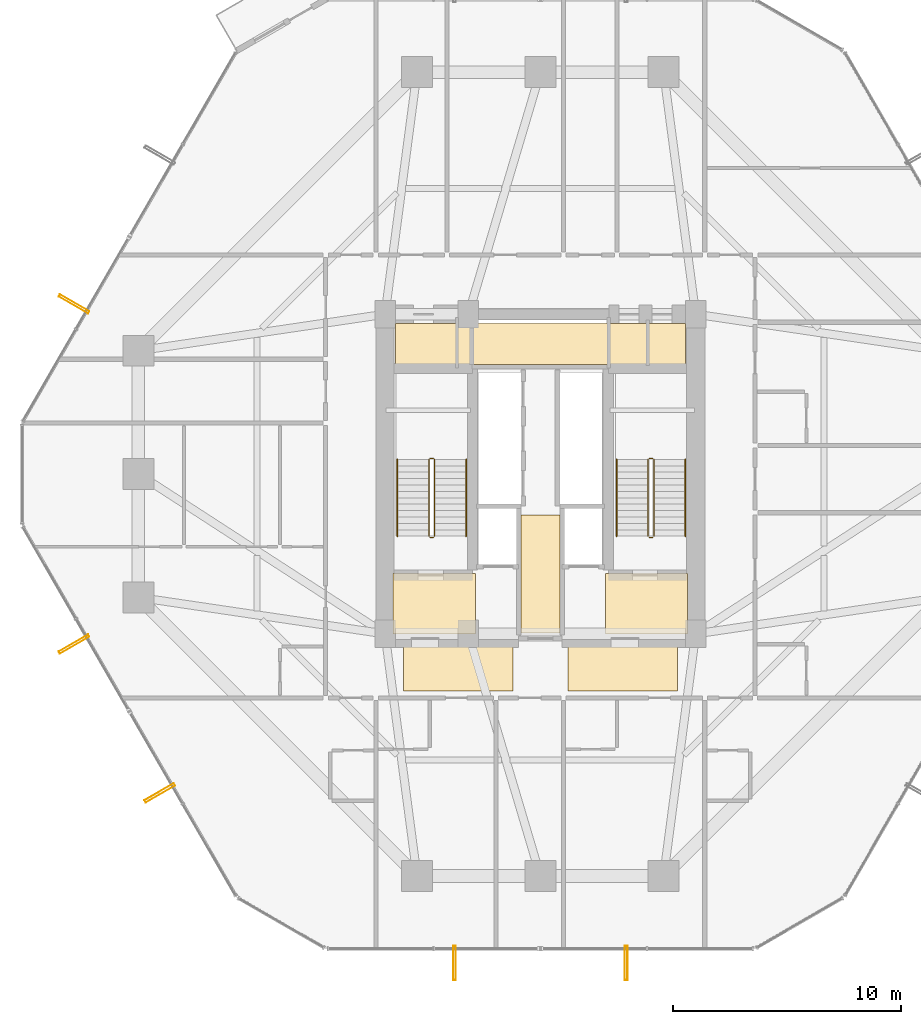
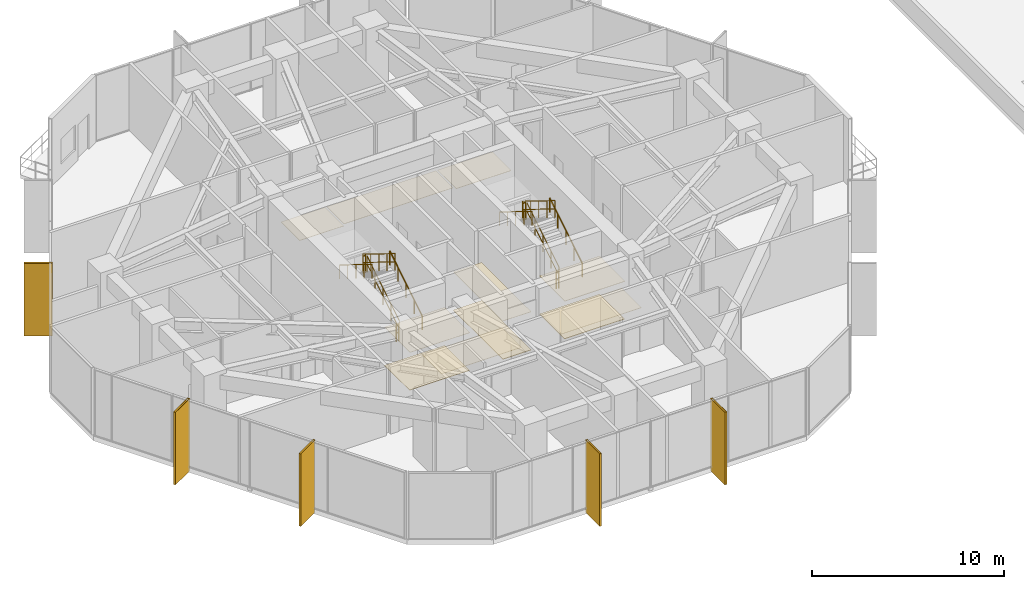
# One storey, part 38 of 39: 12 railings, 11 coverings, 5 shading devices.
"""IFC4 building model written with IfcOpenShell, lengths in metres."""

from ifc_helpers import new_model, si_unit, direction, frame, origin, origin_2d, place, context, subcontext, project, spatial, polyline, hollow_rectangle, circle, outline, extrude, material, layer, layer_set, material_profile, profile_set, type_object, element, save


model = new_model("IFC4")

# Units and contexts
model_context = context("Model", 3, precision=1e-05, world=origin(), true_north=direction((0.0, 1.0)))
body_context = subcontext(model_context, "Body", "Model", "MODEL_VIEW")
ifc_project = project(units=[si_unit("LENGTHUNIT", "METRE"), si_unit("AREAUNIT", "SQUARE_METRE"), si_unit("VOLUMEUNIT", "CUBIC_METRE"), si_unit("PLANEANGLEUNIT", "RADIAN"), si_unit("MASSUNIT", "GRAM", prefix="KILO")], contexts=[model_context])

# Site, building, storey
site_placement = place(None, origin())
site = spatial("IfcSite", under=ifc_project, at=site_placement, CompositionType="ELEMENT")
building_placement = place(site_placement, origin())
building = spatial("IfcBuilding", under=site, at=building_placement, Name="Veraguas Prism Commons", CompositionType="ELEMENT")
storey_placement = place(building_placement, frame((0.0, 0.0, 22.800048828125)))
storey = spatial("IfcBuildingStorey", under=building, at=storey_placement, Name="L05", CompositionType="ELEMENT", Elevation=22.800048828125)

# Shading devices
ifc_material_1 = material(Name="Anodised aluminium EN AW-6063 T6", Category="aluminium")
ifc_material_profile = material_profile(ifc_material_1, hollow_rectangle(XDim=0.1201171875, YDim=1.489990234375, WallThickness=0.006103515625, at=origin_2d()), Name="FIN120X1490X6")
ifc_profile_set = profile_set([ifc_material_profile], Name="Anodised aluminium EN AW-6063 T6")
shading_device_type = type_object("IfcShadingDeviceType", Name="Deep Pale-Metal Vertical Solar Fin 120x1490", PredefinedType="USERDEFINED", material=ifc_profile_set)
for number, where, z_axis, x_axis, name in (
    (1, (3.578369140625, 31.447998046875, -0.330078125), (0.0, 0.0, 1.0), (-0.500003022996, -0.86602365845, 0.0), "Vertical Pale-Metal Solar Fin L05-F3B"),
    (2, (3.578369140625, 16.552001953125, -0.330078125), (0.0, 0.0, 1.0), (0.500003022996, -0.86602365845, 0.0), "Vertical Pale-Metal Solar Fin L05-F4A"),
    (3, (7.339111328125, 10.038330078125, -0.330078125), (0.0, 0.0, 1.0), (0.500003022996, -0.86602365845, 0.0), "Vertical Pale-Metal Solar Fin L05-F4B"),
    (4, (20.2392578125, 2.59033203125, -0.330078125), (0.0, 0.0, 1.0), (1.0, 0.0, 0.0), "Vertical Pale-Metal Solar Fin L05-F5A"),
    (5, (27.7607421875, 2.59033203125, -0.330078125), (0.0, 0.0, 1.0), (1.0, 0.0, 0.0), "Vertical Pale-Metal Solar Fin L05-F5B"),
):
    element("IfcShadingDevice", number, at=place(storey_placement, frame(where, z_axis=z_axis, x_axis=x_axis)), inside=storey, type_object=shading_device_type, Name=name, ObjectType="FIN", PredefinedType="USERDEFINED", context=body_context, shape_type="SweptSolid", body=[
        extrude(hollow_rectangle(XDim=0.1201171875, YDim=1.489990234375, WallThickness=0.006103515625, at=origin_2d()), origin(), (0.0, 0.0, 1.0), 4.60009765625),
    ])

# Coverings
ifc_material_2 = material(Name="Acoustic gypsum board")
ifc_layer_1 = layer(ifc_material_2, 0.02490234375, Name="Perforated Acoustic Ceiling Tile 25")
ifc_layer_set_1 = layer_set([ifc_layer_1], Name="Acoustic gypsum board")
covering_type_1 = type_object("IfcCoveringType", Name="Perforated Acoustic Ceiling Tile 25", PredefinedType="USERDEFINED", material=ifc_layer_set_1)
covering_1_placement = place(storey_placement, frame((0.0, 0.0, 2.425048828125)))
element("IfcCovering", 6, at=covering_1_placement, inside=storey, type_object=covering_type_1, Name="East Lobby Acoustic Ceiling L05", ObjectType="ACOUSTIC CEILING", PredefinedType="USERDEFINED", context=body_context, shape_type="SweptSolid", body=[
    extrude(outline(polyline([(26.85009765625, 17.0), (30.449951171875, 17.0), (30.449951171875, 19.64990234375), (26.85009765625, 19.64990234375), (26.85009765625, 17.0)])), origin(), (0.0, 0.0, 1.0), 0.02490234375),
])
ifc_material_3 = material(Name="Terrazzo stone finish", Category="masonry")
ifc_layer_2 = layer(ifc_material_3, 0.030029296875, Name="Polished Terrazzo Floor Finish 30", Category="masonry")
ifc_layer_set_2 = layer_set([ifc_layer_2], Name="Terrazzo stone finish")
covering_type_2 = type_object("IfcCoveringType", Name="Polished Terrazzo Floor Finish 30", PredefinedType="FLOORING", material=ifc_layer_set_2)
covering_2_placement = place(storey_placement, origin())
element("IfcCovering", 7, at=covering_2_placement, inside=storey, type_object=covering_type_2, Name="Terrazzo Lobby Flooring L05", PredefinedType="FLOORING", context=body_context, shape_type="SweptSolid", body=[
    extrude(outline(polyline([(23.14990234375, 17.050048828125), (24.85009765625, 17.050048828125), (24.85009765625, 22.199951171875), (23.14990234375, 22.199951171875), (23.14990234375, 17.050048828125)])), origin(), (0.0, 0.0, 1.0), 0.030029296875),
])
covering_3_placement = place(storey_placement, origin())
element("IfcCovering", 8, at=covering_3_placement, inside=storey, type_object=covering_type_2, Name="West FF Lobby Terrazzo Flooring L05", PredefinedType="FLOORING", context=body_context, shape_type="SweptSolid", body=[
    extrude(outline(polyline([(17.550048828125, 17.050048828125), (21.14990234375, 17.050048828125), (21.14990234375, 19.64990234375), (17.550048828125, 19.64990234375), (17.550048828125, 17.050048828125)])), origin(), (0.0, 0.0, 1.0), 0.030029296875),
])
covering_4_placement = place(storey_placement, origin())
element("IfcCovering", 9, at=covering_4_placement, inside=storey, type_object=covering_type_2, Name="East FF Lobby Terrazzo Flooring L05", PredefinedType="FLOORING", context=body_context, shape_type="SweptSolid", body=[
    extrude(outline(polyline([(26.85009765625, 17.050048828125), (30.449951171875, 17.050048828125), (30.449951171875, 19.64990234375), (26.85009765625, 19.64990234375), (26.85009765625, 17.050048828125)])), origin(), (0.0, 0.0, 1.0), 0.030029296875),
])

# Railings
ifc_material_4 = material(Name="Stainless steel AISI 316", Category="steel")
railing_type_1 = type_object("IfcRailingType", Name="Stair and Ramp Stainless Handrail 900", PredefinedType="HANDRAIL", material=ifc_material_4)
railing_1_placement = place(storey_placement, frame((20.75, 21.280029296875, 0.173095703125)))
element("IfcRailing", 10, at=railing_1_placement, inside=storey, type_object=railing_type_1, Name="Stair Handrail ST-01 L05-1", PredefinedType="HANDRAIL", context=body_context, shape_type="SweptSolid", body=[
    extrude(circle(Radius=0.02392578125, at=origin_2d()), frame((0.0, 0.0, 0.8759765625), z_axis=(0.0, 0.850606129759, 0.525803396734), x_axis=(-1.0, 0.0, 0.0)), (0.0, 0.0, 1.0), 3.949951171875),
    extrude(circle(Radius=0.02099609375, at=origin_2d()), origin(), (0.0, 0.0, 1.0), 0.851806640625),
    extrude(circle(Radius=0.02099609375, at=origin_2d()), frame((0.0, 0.83984375, 0.519287109375)), (0.0, 0.0, 1.0), 0.851806640625),
    extrude(circle(Radius=0.02099609375, at=origin_2d()), frame((0.0, 1.679931640625, 1.03857421875)), (0.0, 0.0, 1.0), 0.851806640625),
    extrude(circle(Radius=0.02099609375, at=origin_2d()), frame((0.0, 2.52001953125, 1.5576171875)), (0.0, 0.0, 1.0), 0.851806640625),
    extrude(circle(Radius=0.02099609375, at=origin_2d()), frame((0.0, 3.35986328125, 2.076904296875)), (0.0, 0.0, 1.0), 0.851806640625),
])
railing_2_placement = place(storey_placement, frame((17.739990234375, 24.639892578125, 2.423095703125)))
element("IfcRailing", 11, at=railing_2_placement, inside=storey, type_object=railing_type_1, Name="Stair Handrail ST-01 L05-2", PredefinedType="HANDRAIL", context=body_context, shape_type="SweptSolid", body=[
    extrude(circle(Radius=0.02392578125, at=origin_2d()), frame((0.0, 0.0, 0.8759765625), z_axis=(0.0, -0.850606129759, 0.525803396734), x_axis=(1.0, 0.0, 0.0)), (0.0, 0.0, 1.0), 3.949951171875),
    extrude(circle(Radius=0.02099609375, at=origin_2d()), origin(), (0.0, 0.0, 1.0), 0.851806640625),
    extrude(circle(Radius=0.02099609375, at=origin_2d()), frame((0.0, -0.83984375, 0.519287109375)), (0.0, 0.0, 1.0), 0.851806640625),
    extrude(circle(Radius=0.02099609375, at=origin_2d()), frame((0.0, -1.679931640625, 1.03857421875)), (0.0, 0.0, 1.0), 0.851806640625),
    extrude(circle(Radius=0.02099609375, at=origin_2d()), frame((0.0, -2.52001953125, 1.5576171875)), (0.0, 0.0, 1.0), 0.851806640625),
    extrude(circle(Radius=0.02099609375, at=origin_2d()), frame((0.0, -3.35986328125, 2.076904296875)), (0.0, 0.0, 1.0), 0.851806640625),
])
railing_3_placement = place(storey_placement, frame((30.35009765625, 21.280029296875, 0.173095703125)))
element("IfcRailing", 12, at=railing_3_placement, inside=storey, type_object=railing_type_1, Name="Stair Handrail ST-02 L05-1", PredefinedType="HANDRAIL", context=body_context, shape_type="SweptSolid", body=[
    extrude(circle(Radius=0.02392578125, at=origin_2d()), frame((0.0, 0.0, 0.8759765625), z_axis=(0.0, 0.850606129759, 0.525803396734), x_axis=(-1.0, 0.0, 0.0)), (0.0, 0.0, 1.0), 3.949951171875),
    extrude(circle(Radius=0.02099609375, at=origin_2d()), origin(), (0.0, 0.0, 1.0), 0.851806640625),
    extrude(circle(Radius=0.02099609375, at=origin_2d()), frame((0.0, 0.83984375, 0.519287109375)), (0.0, 0.0, 1.0), 0.851806640625),
    extrude(circle(Radius=0.02099609375, at=origin_2d()), frame((0.0, 1.679931640625, 1.03857421875)), (0.0, 0.0, 1.0), 0.851806640625),
    extrude(circle(Radius=0.02099609375, at=origin_2d()), frame((0.0, 2.52001953125, 1.5576171875)), (0.0, 0.0, 1.0), 0.851806640625),
    extrude(circle(Radius=0.02099609375, at=origin_2d()), frame((0.0, 3.35986328125, 2.076904296875)), (0.0, 0.0, 1.0), 0.851806640625),
])
railing_4_placement = place(storey_placement, frame((27.340087890625, 24.639892578125, 2.423095703125)))
element("IfcRailing", 13, at=railing_4_placement, inside=storey, type_object=railing_type_1, Name="Stair Handrail ST-02 L05-2", PredefinedType="HANDRAIL", context=body_context, shape_type="SweptSolid", body=[
    extrude(circle(Radius=0.02392578125, at=origin_2d()), frame((0.0, 0.0, 0.8759765625), z_axis=(0.0, -0.850606129759, 0.525803396734), x_axis=(1.0, 0.0, 0.0)), (0.0, 0.0, 1.0), 3.949951171875),
    extrude(circle(Radius=0.02099609375, at=origin_2d()), origin(), (0.0, 0.0, 1.0), 0.851806640625),
    extrude(circle(Radius=0.02099609375, at=origin_2d()), frame((0.0, -0.83984375, 0.519287109375)), (0.0, 0.0, 1.0), 0.851806640625),
    extrude(circle(Radius=0.02099609375, at=origin_2d()), frame((0.0, -1.679931640625, 1.03857421875)), (0.0, 0.0, 1.0), 0.851806640625),
    extrude(circle(Radius=0.02099609375, at=origin_2d()), frame((0.0, -2.52001953125, 1.5576171875)), (0.0, 0.0, 1.0), 0.851806640625),
    extrude(circle(Radius=0.02099609375, at=origin_2d()), frame((0.0, -3.35986328125, 2.076904296875)), (0.0, 0.0, 1.0), 0.851806640625),
])
railing_type_2 = type_object("IfcRailingType", Name="Stairwell Safety Guardrail 1100", PredefinedType="GUARDRAIL", material=ifc_material_4)
railing_5_placement = place(storey_placement, frame((19.3701171875, 21.280029296875, 0.173095703125)))
element("IfcRailing", 14, at=railing_5_placement, inside=storey, type_object=railing_type_2, Name="Stair Guard ST-01 L05-1", PredefinedType="GUARDRAIL", context=body_context, shape_type="SweptSolid", body=[
    extrude(circle(Radius=0.02392578125, at=origin_2d()), frame((0.0, 0.0, 1.076171875), z_axis=(0.0, 0.850606129759, 0.525803396734), x_axis=(-1.0, 0.0, 0.0)), (0.0, 0.0, 1.0), 3.949951171875),
    extrude(circle(Radius=0.02392578125, at=origin_2d()), frame((0.0, 0.0, 0.550048828125), z_axis=(0.0, 0.850606129759, 0.525803396734), x_axis=(-1.0, 0.0, 0.0)), (0.0, 0.0, 1.0), 3.949951171875),
    extrude(circle(Radius=0.02099609375, at=origin_2d()), origin(), (0.0, 0.0, 1.0), 1.052001953125),
    extrude(circle(Radius=0.02099609375, at=origin_2d()), frame((0.0, 0.83984375, 0.519287109375)), (0.0, 0.0, 1.0), 1.052001953125),
    extrude(circle(Radius=0.02099609375, at=origin_2d()), frame((0.0, 1.679931640625, 1.03857421875)), (0.0, 0.0, 1.0), 1.052001953125),
    extrude(circle(Radius=0.02099609375, at=origin_2d()), frame((0.0, 2.52001953125, 1.5576171875)), (0.0, 0.0, 1.0), 1.052001953125),
    extrude(circle(Radius=0.02099609375, at=origin_2d()), frame((0.0, 3.35986328125, 2.076904296875)), (0.0, 0.0, 1.0), 1.052001953125),
])
railing_6_placement = place(storey_placement, frame((19.320068359375, 24.68994140625, 2.25)))
element("IfcRailing", 15, at=railing_6_placement, inside=storey, type_object=railing_type_2, Name="Stair Guard ST-01 L05-2", PredefinedType="GUARDRAIL", context=body_context, shape_type="SweptSolid", body=[
    extrude(circle(Radius=0.02392578125, at=origin_2d()), frame((0.0, 0.0, 1.076171875), z_axis=(-1.0, 0.0, 0.0), x_axis=(0.0, -1.0, 0.0)), (0.0, 0.0, 1.0), 0.150146484375),
    extrude(circle(Radius=0.02392578125, at=origin_2d()), frame((0.0, 0.0, 0.550048828125), z_axis=(-1.0, 0.0, 0.0), x_axis=(0.0, -1.0, 0.0)), (0.0, 0.0, 1.0), 0.150146484375),
    extrude(circle(Radius=0.02099609375, at=origin_2d()), origin(), (0.0, 0.0, 1.0), 1.052001953125),
    extrude(circle(Radius=0.02099609375, at=origin_2d()), frame((-0.150146484375, 0.0, 0.0)), (0.0, 0.0, 1.0), 1.052001953125),
])
railing_7_placement = place(storey_placement, frame((19.1201171875, 24.639892578125, 2.423095703125)))
element("IfcRailing", 16, at=railing_7_placement, inside=storey, type_object=railing_type_2, Name="Stair Guard ST-01 L05-3", PredefinedType="GUARDRAIL", context=body_context, shape_type="SweptSolid", body=[
    extrude(circle(Radius=0.02392578125, at=origin_2d()), frame((0.0, 0.0, 1.076171875), z_axis=(0.0, -0.850606129759, 0.525803396734), x_axis=(1.0, 0.0, 0.0)), (0.0, 0.0, 1.0), 3.949951171875),
    extrude(circle(Radius=0.02392578125, at=origin_2d()), frame((0.0, 0.0, 0.550048828125), z_axis=(0.0, -0.850606129759, 0.525803396734), x_axis=(1.0, 0.0, 0.0)), (0.0, 0.0, 1.0), 3.949951171875),
    extrude(circle(Radius=0.02099609375, at=origin_2d()), origin(), (0.0, 0.0, 1.0), 1.052001953125),
    extrude(circle(Radius=0.02099609375, at=origin_2d()), frame((0.0, -0.83984375, 0.519287109375)), (0.0, 0.0, 1.0), 1.052001953125),
    extrude(circle(Radius=0.02099609375, at=origin_2d()), frame((0.0, -1.679931640625, 1.03857421875)), (0.0, 0.0, 1.0), 1.052001953125),
    extrude(circle(Radius=0.02099609375, at=origin_2d()), frame((0.0, -2.52001953125, 1.5576171875)), (0.0, 0.0, 1.0), 1.052001953125),
    extrude(circle(Radius=0.02099609375, at=origin_2d()), frame((0.0, -3.35986328125, 2.076904296875)), (0.0, 0.0, 1.0), 1.052001953125),
])
railing_8_placement = place(storey_placement, frame((19.320068359375, 21.22998046875, 0.0)))
element("IfcRailing", 17, at=railing_8_placement, inside=storey, type_object=railing_type_2, Name="Stair Guard ST-01 L05-4", PredefinedType="GUARDRAIL", context=body_context, shape_type="SweptSolid", body=[
    extrude(circle(Radius=0.02392578125, at=origin_2d()), frame((0.0, 0.0, 1.076171875), z_axis=(-1.0, 0.0, 0.0), x_axis=(0.0, -1.0, 0.0)), (0.0, 0.0, 1.0), 0.150146484375),
    extrude(circle(Radius=0.02392578125, at=origin_2d()), frame((0.0, 0.0, 0.550048828125), z_axis=(-1.0, 0.0, 0.0), x_axis=(0.0, -1.0, 0.0)), (0.0, 0.0, 1.0), 0.150146484375),
    extrude(circle(Radius=0.02099609375, at=origin_2d()), origin(), (0.0, 0.0, 1.0), 1.052001953125),
    extrude(circle(Radius=0.02099609375, at=origin_2d()), frame((-0.150146484375, 0.0, 0.0)), (0.0, 0.0, 1.0), 1.052001953125),
])
railing_9_placement = place(storey_placement, frame((28.969970703125, 21.280029296875, 0.173095703125)))
element("IfcRailing", 18, at=railing_9_placement, inside=storey, type_object=railing_type_2, Name="Stair Guard ST-02 L05-1", PredefinedType="GUARDRAIL", context=body_context, shape_type="SweptSolid", body=[
    extrude(circle(Radius=0.02392578125, at=origin_2d()), frame((0.0, 0.0, 1.076171875), z_axis=(0.0, 0.850606129759, 0.525803396734), x_axis=(-1.0, 0.0, 0.0)), (0.0, 0.0, 1.0), 3.949951171875),
    extrude(circle(Radius=0.02392578125, at=origin_2d()), frame((0.0, 0.0, 0.550048828125), z_axis=(0.0, 0.850606129759, 0.525803396734), x_axis=(-1.0, 0.0, 0.0)), (0.0, 0.0, 1.0), 3.949951171875),
    extrude(circle(Radius=0.02099609375, at=origin_2d()), origin(), (0.0, 0.0, 1.0), 1.052001953125),
    extrude(circle(Radius=0.02099609375, at=origin_2d()), frame((0.0, 0.83984375, 0.519287109375)), (0.0, 0.0, 1.0), 1.052001953125),
    extrude(circle(Radius=0.02099609375, at=origin_2d()), frame((0.0, 1.679931640625, 1.03857421875)), (0.0, 0.0, 1.0), 1.052001953125),
    extrude(circle(Radius=0.02099609375, at=origin_2d()), frame((0.0, 2.52001953125, 1.5576171875)), (0.0, 0.0, 1.0), 1.052001953125),
    extrude(circle(Radius=0.02099609375, at=origin_2d()), frame((0.0, 3.35986328125, 2.076904296875)), (0.0, 0.0, 1.0), 1.052001953125),
])
railing_10_placement = place(storey_placement, frame((28.919921875, 24.68994140625, 2.25)))
element("IfcRailing", 19, at=railing_10_placement, inside=storey, type_object=railing_type_2, Name="Stair Guard ST-02 L05-2", PredefinedType="GUARDRAIL", context=body_context, shape_type="SweptSolid", body=[
    extrude(circle(Radius=0.02392578125, at=origin_2d()), frame((0.0, 0.0, 1.076171875), z_axis=(-1.0, 0.0, 0.0), x_axis=(0.0, -1.0, 0.0)), (0.0, 0.0, 1.0), 0.14990234375),
    extrude(circle(Radius=0.02392578125, at=origin_2d()), frame((0.0, 0.0, 0.550048828125), z_axis=(-1.0, 0.0, 0.0), x_axis=(0.0, -1.0, 0.0)), (0.0, 0.0, 1.0), 0.14990234375),
    extrude(circle(Radius=0.02099609375, at=origin_2d()), origin(), (0.0, 0.0, 1.0), 1.052001953125),
    extrude(circle(Radius=0.02099609375, at=origin_2d()), frame((-0.14990234375, 0.0, 0.0)), (0.0, 0.0, 1.0), 1.052001953125),
])
railing_11_placement = place(storey_placement, frame((28.719970703125, 24.639892578125, 2.423095703125)))
element("IfcRailing", 20, at=railing_11_placement, inside=storey, type_object=railing_type_2, Name="Stair Guard ST-02 L05-3", PredefinedType="GUARDRAIL", context=body_context, shape_type="SweptSolid", body=[
    extrude(circle(Radius=0.02392578125, at=origin_2d()), frame((0.0, 0.0, 1.076171875), z_axis=(0.0, -0.850606129759, 0.525803396734), x_axis=(1.0, 0.0, 0.0)), (0.0, 0.0, 1.0), 3.949951171875),
    extrude(circle(Radius=0.02392578125, at=origin_2d()), frame((0.0, 0.0, 0.550048828125), z_axis=(0.0, -0.850606129759, 0.525803396734), x_axis=(1.0, 0.0, 0.0)), (0.0, 0.0, 1.0), 3.949951171875),
    extrude(circle(Radius=0.02099609375, at=origin_2d()), origin(), (0.0, 0.0, 1.0), 1.052001953125),
    extrude(circle(Radius=0.02099609375, at=origin_2d()), frame((0.0, -0.83984375, 0.519287109375)), (0.0, 0.0, 1.0), 1.052001953125),
    extrude(circle(Radius=0.02099609375, at=origin_2d()), frame((0.0, -1.679931640625, 1.03857421875)), (0.0, 0.0, 1.0), 1.052001953125),
    extrude(circle(Radius=0.02099609375, at=origin_2d()), frame((0.0, -2.52001953125, 1.5576171875)), (0.0, 0.0, 1.0), 1.052001953125),
    extrude(circle(Radius=0.02099609375, at=origin_2d()), frame((0.0, -3.35986328125, 2.076904296875)), (0.0, 0.0, 1.0), 1.052001953125),
])
railing_12_placement = place(storey_placement, frame((28.919921875, 21.22998046875, 0.0)))
element("IfcRailing", 21, at=railing_12_placement, inside=storey, type_object=railing_type_2, Name="Stair Guard ST-02 L05-4", PredefinedType="GUARDRAIL", context=body_context, shape_type="SweptSolid", body=[
    extrude(circle(Radius=0.02392578125, at=origin_2d()), frame((0.0, 0.0, 1.076171875), z_axis=(-1.0, 0.0, 0.0), x_axis=(0.0, -1.0, 0.0)), (0.0, 0.0, 1.0), 0.14990234375),
    extrude(circle(Radius=0.02392578125, at=origin_2d()), frame((0.0, 0.0, 0.550048828125), z_axis=(-1.0, 0.0, 0.0), x_axis=(0.0, -1.0, 0.0)), (0.0, 0.0, 1.0), 0.14990234375),
    extrude(circle(Radius=0.02099609375, at=origin_2d()), origin(), (0.0, 0.0, 1.0), 1.052001953125),
    extrude(circle(Radius=0.02099609375, at=origin_2d()), frame((-0.14990234375, 0.0, 0.0)), (0.0, 0.0, 1.0), 1.052001953125),
])

# Coverings
ifc_layer_3 = layer(ifc_material_2, 0.02001953125, Name="Suspended Gypsum Ceiling 20")
ifc_layer_set_3 = layer_set([ifc_layer_3], Name="Acoustic gypsum board")
covering_type_3 = type_object("IfcCoveringType", Name="Suspended Gypsum Ceiling 20", PredefinedType="CEILING", material=ifc_layer_set_3)
covering_5_placement = place(storey_placement, frame((0.0, 0.0, 2.429931640625)))
element("IfcCovering", 22, at=covering_5_placement, inside=storey, type_object=covering_type_3, Name="West Lobby Suspended Gypsum Ceiling L05", PredefinedType="CEILING", context=body_context, shape_type="SweptSolid", body=[
    extrude(outline(polyline([(17.550048828125, 17.0), (21.14990234375, 17.0), (21.14990234375, 19.64990234375), (17.550048828125, 19.64990234375), (17.550048828125, 17.0)])), origin(), (0.0, 0.0, 1.0), 0.02001953125),
])
covering_6_placement = place(storey_placement, frame((0.0, 0.0, 2.429931640625)))
element("IfcCovering", 23, at=covering_6_placement, inside=storey, type_object=covering_type_3, Name="Core Lobby Acoustic Ceiling L05-1", PredefinedType="CEILING", context=body_context, shape_type="SweptSolid", body=[
    extrude(outline(polyline([(18.0, 14.5), (22.800048828125, 14.5), (22.800048828125, 16.550048828125), (18.0, 16.550048828125), (18.0, 14.5)])), origin(), (0.0, 0.0, 1.0), 0.02001953125),
])
covering_7_placement = place(storey_placement, frame((0.0, 0.0, 2.429931640625)))
element("IfcCovering", 24, at=covering_7_placement, inside=storey, type_object=covering_type_3, Name="Core Lobby Acoustic Ceiling L05-2", PredefinedType="CEILING", context=body_context, shape_type="SweptSolid", body=[
    extrude(outline(polyline([(25.199951171875, 14.5), (30.0, 14.5), (30.0, 16.550048828125), (25.199951171875, 16.550048828125), (25.199951171875, 14.5)])), origin(), (0.0, 0.0, 1.0), 0.02001953125),
])
covering_8_placement = place(storey_placement, frame((0.0, 0.0, 2.429931640625)))
element("IfcCovering", 25, at=covering_8_placement, inside=storey, type_object=covering_type_3, Name="Core Lobby Acoustic Ceiling L05-3", PredefinedType="CEILING", context=body_context, shape_type="SweptSolid", body=[
    extrude(outline(polyline([(23.14990234375, 17.050048828125), (24.85009765625, 17.050048828125), (24.85009765625, 22.199951171875), (23.14990234375, 22.199951171875), (23.14990234375, 17.050048828125)])), origin(), (0.0, 0.0, 1.0), 0.02001953125),
])
covering_9_placement = place(storey_placement, frame((0.0, 0.0, 2.429931640625)))
element("IfcCovering", 26, at=covering_9_placement, inside=storey, type_object=covering_type_3, Name="Core Lobby Acoustic Ceiling L05-4", PredefinedType="CEILING", context=body_context, shape_type="SweptSolid", body=[
    extrude(outline(polyline([(17.64990234375, 28.64990234375), (20.300048828125, 28.64990234375), (20.300048828125, 30.60009765625), (17.64990234375, 30.60009765625), (17.64990234375, 28.64990234375)])), origin(), (0.0, 0.0, 1.0), 0.02001953125),
])
covering_10_placement = place(storey_placement, frame((0.0, 0.0, 2.429931640625)))
element("IfcCovering", 27, at=covering_10_placement, inside=storey, type_object=covering_type_3, Name="Core Lobby Acoustic Ceiling L05-5", PredefinedType="CEILING", context=body_context, shape_type="SweptSolid", body=[
    extrude(outline(polyline([(27.050048828125, 28.64990234375), (30.35009765625, 28.64990234375), (30.35009765625, 30.60009765625), (27.050048828125, 30.60009765625), (27.050048828125, 28.64990234375)])), origin(), (0.0, 0.0, 1.0), 0.02001953125),
])
covering_11_placement = place(storey_placement, frame((0.0, 0.0, 2.429931640625)))
element("IfcCovering", 28, at=covering_11_placement, inside=storey, type_object=covering_type_3, Name="Core Lobby Acoustic Ceiling L05-6", PredefinedType="CEILING", context=body_context, shape_type="SweptSolid", body=[
    extrude(outline(polyline([(20.39990234375, 28.800048828125), (26.949951171875, 28.800048828125), (26.949951171875, 30.60009765625), (20.39990234375, 30.60009765625), (20.39990234375, 28.800048828125)])), origin(), (0.0, 0.0, 1.0), 0.02001953125),
])

save(model, "model.ifc")
